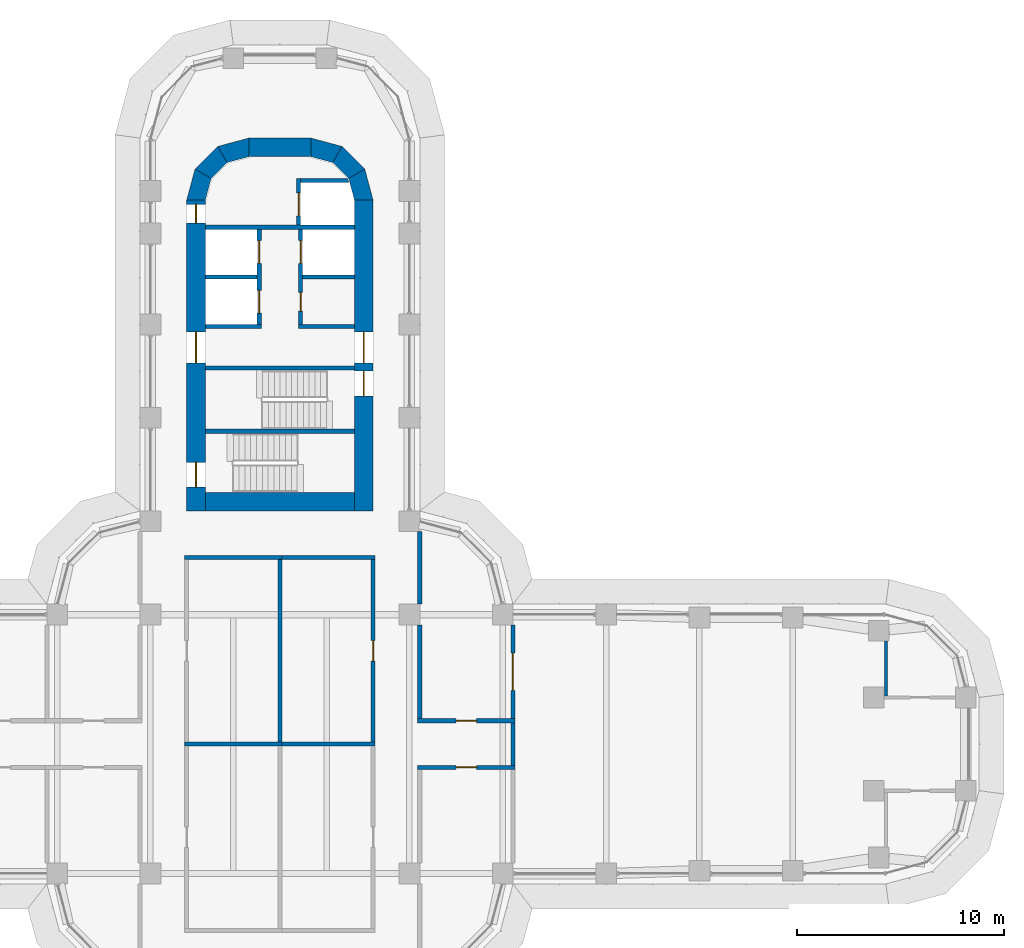
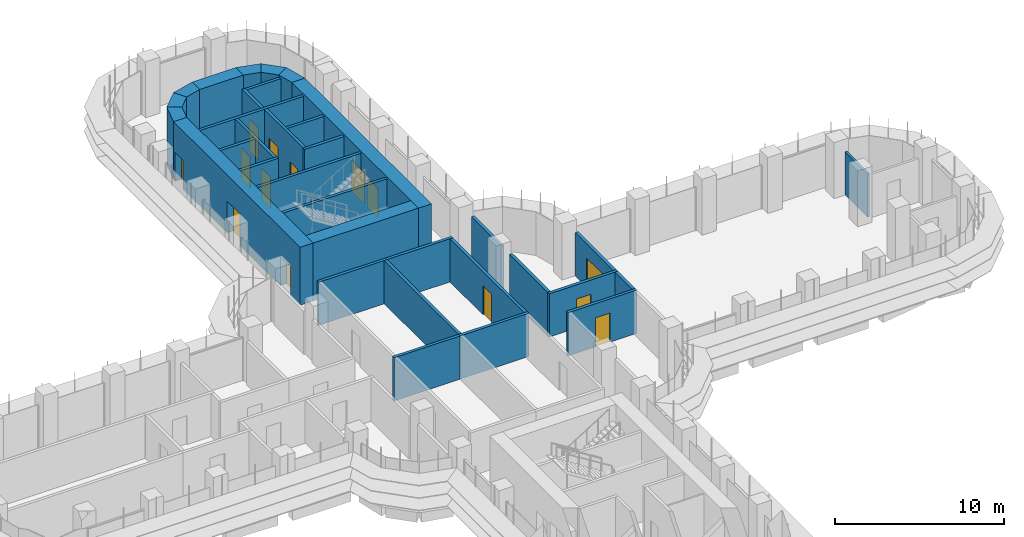
# One storey, part 18 of 23: 34 walls, 14 doors, 14 openings.
"""IFC4 building model written with IfcOpenShell, lengths in metres."""

from ifc_helpers import new_model, si_unit, direction, frame, frame_2d, origin, place, context, subcontext, project, spatial, polyline, rectangle, outline, extrude, material, layer, layer_set, type_object, element, fill, save


model = new_model("IFC4")

# Units and contexts
model_context = context("Model", 3, precision=1e-05, world=origin(), true_north=direction((0.0, 1.0)))
body_context = subcontext(model_context, "Body", "Model", "MODEL_VIEW")
ifc_project = project(units=[si_unit("LENGTHUNIT", "METRE"), si_unit("AREAUNIT", "SQUARE_METRE"), si_unit("VOLUMEUNIT", "CUBIC_METRE"), si_unit("PLANEANGLEUNIT", "RADIAN"), si_unit("MASSUNIT", "GRAM", prefix="KILO")], contexts=[model_context])

# Site, building, storey
site_placement = place(None, origin())
site = spatial("IfcSite", under=ifc_project, at=site_placement, CompositionType="ELEMENT")
building_placement = place(site_placement, origin())
building = spatial("IfcBuilding", under=site, at=building_placement, Name="Zarbagh Exchange Tower", CompositionType="ELEMENT")
storey_placement = place(building_placement, frame((0.0, 0.0, 64.800048828125)))
storey = spatial("IfcBuildingStorey", under=building, at=storey_placement, Name="L14", CompositionType="ELEMENT", Elevation=64.800048828125)

# Wall
ifc_material_1 = material(Name="Plasterboard partition")
ifc_layer_1 = layer(ifc_material_1, 0.14990234375)
ifc_layer_set_1 = layer_set([ifc_layer_1], Name="PARTITION 150")
wall_type_1 = type_object("IfcWallType", Name="PARTITION 150", PredefinedType="PARTITIONING", material=ifc_layer_set_1)
wall_1_placement = place(storey_placement, frame((29.25, 2.324951171875, 0.0), z_axis=(0.0, 0.0, 1.0), x_axis=(0.0, 1.0, 0.0)))
element("IfcWall", 1, at=wall_1_placement, inside=storey, type_object=wall_type_1, Name="Partition W-426", PredefinedType="PARTITIONING", context=body_context, shape_type="SweptSolid", body=[
    extrude(rectangle(XDim=2.650146484375, YDim=0.14990234375, at=frame_2d((1.3251953125, 0.0))), origin(), (0.0, 0.0, 1.0), 3.13037109375),
])

# Wall, opening, door
ifc_material_2 = material(Name="Fire-rated plasterboard partition")
ifc_layer_2 = layer(ifc_material_2, 0.199951171875)
ifc_layer_set_2 = layer_set([ifc_layer_2], Name="RATED PARTITION 200")
wall_type_2 = type_object("IfcWallType", Name="RATED PARTITION 200", PredefinedType="PARTITIONING", material=ifc_layer_set_2)
wall_2_placement = place(storey_placement, frame((4.5, 0.10009765625, 0.0), z_axis=(0.0, 0.0, 1.0), x_axis=(0.0, 1.0, 0.0)))
wall_2 = element("IfcWall", 2, at=wall_2_placement, inside=storey, type_object=wall_type_2, Name="Partition W-407", PredefinedType="PARTITIONING", context=body_context, shape_type="SweptSolid", body=[
    extrude(rectangle(XDim=8.7998046875, YDim=0.199951171875, at=frame_2d((4.39990234375, 0.0))), origin(), (0.0, 0.0, 1.0), 3.13037109375),
])
opening_1_placement = place(wall_2_placement, frame((3.89990234375, 0.0, 0.0)))
opening_1 = element("IfcOpeningElement", 3, at=opening_1_placement, cuts=wall_2, Name="Opening D-401", PredefinedType="OPENING", context=body_context, shape_type="SweptSolid", body=[
    extrude(rectangle(XDim=1.0, YDim=2.10009765625, at=frame_2d((0.5, 1.050048828125))), frame((0.0, 0.10986328125, 0.0), z_axis=(0.0, -1.0, 0.0), x_axis=(1.0, 0.0, 0.0)), (0.0, 0.0, 1.0), 0.219970703125),
])
ifc_material_3 = material(Name="Steel door set", Category="steel")
door_type_1 = type_object("IfcDoorType", Name="FIRE DOOR 1000 X 2100 FD30S", OperationType="NOTDEFINED", PredefinedType="DOOR", material=ifc_material_3)
door_1_placement = place(opening_1_placement, origin())
door_1 = element("IfcDoor", 4, at=door_1_placement, inside=storey, type_object=door_type_1, Name="Door D-401", OperationType="SINGLE_SWING_RIGHT", OverallHeight=2.10009765625, OverallWidth=1.0, PredefinedType="DOOR", context=body_context, shape_type="SweptSolid", body=[
    extrude(rectangle(XDim=1.0, YDim=2.10009765625, at=frame_2d((0.5, 1.050048828125))), frame((0.0, 0.02490234375, 0.0), z_axis=(0.0, -1.0, 0.0), x_axis=(1.0, 0.0, 0.0)), (0.0, 0.0, 1.0), 0.050048828125),
])
fill(opening_1, door_1)

# Walls
wall_3_placement = place(storey_placement, frame((6.75, 1.22509765625, 0.0), z_axis=(0.0, 0.0, 1.0), x_axis=(0.0, 1.0, 0.0)))
element("IfcWall", 5, at=wall_3_placement, inside=storey, type_object=wall_type_2, Name="Partition W-409", PredefinedType="PARTITIONING", context=body_context, shape_type="SweptSolid", body=[
    extrude(rectangle(XDim=4.52490234375, YDim=0.199951171875, at=frame_2d((2.262451171875, 0.0))), origin(), (0.0, 0.0, 1.0), 3.13037109375),
])
wall_4_placement = place(storey_placement, frame((6.75, 6.75, 0.0), z_axis=(0.0, 0.0, 1.0), x_axis=(0.0, 1.0, 0.0)))
element("IfcWall", 6, at=wall_4_placement, inside=storey, type_object=wall_type_2, Name="Partition W-410", PredefinedType="PARTITIONING", context=body_context, shape_type="SweptSolid", body=[
    extrude(rectangle(XDim=3.5, YDim=0.199951171875, at=frame_2d((1.75, 0.0))), origin(), (0.0, 0.0, 1.0), 3.13037109375),
])
for number, where, z_axis, x_axis, name in (
    (7, (-4.60009765625, 9.0, 0.0), (0.0, 0.0, 1.0), (1.0, 0.0, 0.0), "Partition W-413"),
    (8, (-0.10009765625, 9.0, 0.0), (0.0, 0.0, 1.0), (1.0, 0.0, 0.0), "Partition W-414"),
):
    element("IfcWall", number, at=place(storey_placement, frame(where, z_axis=z_axis, x_axis=x_axis)), inside=storey, type_object=wall_type_2, Name=name, PredefinedType="PARTITIONING", context=body_context, shape_type="SweptSolid", body=[
        extrude(rectangle(XDim=4.7001953125, YDim=0.199951171875, at=frame_2d((2.35009765625, 0.0))), origin(), (0.0, 0.0, 1.0), 3.13037109375),
    ])
wall_5_placement = place(storey_placement, frame((0.0, 0.10009765625, 0.0), z_axis=(0.0, 0.0, 1.0), x_axis=(0.0, 1.0, 0.0)))
element("IfcWall", 9, at=wall_5_placement, inside=storey, type_object=wall_type_2, Name="Partition W-417", PredefinedType="PARTITIONING", context=body_context, shape_type="SweptSolid", body=[
    extrude(rectangle(XDim=8.7998046875, YDim=0.199951171875, at=frame_2d((4.39990234375, 0.0))), origin(), (0.0, 0.0, 1.0), 3.13037109375),
])
for number, where, z_axis, x_axis, name in (
    (10, (-4.60009765625, 0.0, 0.0), (0.0, 0.0, 1.0), (1.0, 0.0, 0.0), "Partition W-418"),
    (11, (-0.10009765625, 0.0, 0.0), (0.0, 0.0, 1.0), (1.0, 0.0, 0.0), "Partition W-419"),
):
    element("IfcWall", number, at=place(storey_placement, frame(where, z_axis=z_axis, x_axis=x_axis)), inside=storey, type_object=wall_type_2, Name=name, PredefinedType="PARTITIONING", context=body_context, shape_type="SweptSolid", body=[
        extrude(rectangle(XDim=4.7001953125, YDim=0.199951171875, at=frame_2d((2.35009765625, 0.0))), origin(), (0.0, 0.0, 1.0), 3.13037109375),
    ])

# Wall, opening, door
wall_6_placement = place(storey_placement, frame((6.64990234375, 1.125, 0.0), z_axis=(0.0, 0.0, 1.0), x_axis=(1.0, 0.0, 0.0)))
wall_6 = element("IfcWall", 12, at=wall_6_placement, inside=storey, type_object=wall_type_2, Name="Partition W-421", PredefinedType="PARTITIONING", context=body_context, shape_type="SweptSolid", body=[
    extrude(rectangle(XDim=4.7001953125, YDim=0.199951171875, at=frame_2d((2.35009765625, 0.0))), origin(), (0.0, 0.0, 1.0), 3.13037109375),
])
opening_2_placement = place(wall_6_placement, frame((1.85009765625, 0.0, 0.0)))
opening_2 = element("IfcOpeningElement", 13, at=opening_2_placement, cuts=wall_6, Name="Opening D-408", PredefinedType="OPENING", context=body_context, shape_type="SweptSolid", body=[
    extrude(rectangle(XDim=1.0, YDim=2.10009765625, at=frame_2d((0.5, 1.050048828125))), frame((0.0, 0.10986328125, 0.0), z_axis=(0.0, -1.0, 0.0), x_axis=(1.0, 0.0, 0.0)), (0.0, 0.0, 1.0), 0.219970703125),
])
door_2_placement = place(opening_2_placement, origin())
door_2 = element("IfcDoor", 14, at=door_2_placement, inside=storey, type_object=door_type_1, Name="Door D-408", OperationType="SINGLE_SWING_RIGHT", OverallHeight=2.10009765625, OverallWidth=1.0, PredefinedType="DOOR", context=body_context, shape_type="SweptSolid", body=[
    extrude(rectangle(XDim=1.0, YDim=2.10009765625, at=frame_2d((0.5, 1.050048828125))), frame((0.0, 0.02490234375, 0.0), z_axis=(0.0, -1.0, 0.0), x_axis=(1.0, 0.0, 0.0)), (0.0, 0.0, 1.0), 0.050048828125),
])
fill(opening_2, door_2)

wall_7_placement = place(storey_placement, frame((11.35009765625, -1.125, 0.0), z_axis=(0.0, 0.0, 1.0), x_axis=(-1.0, 0.0, 0.0)))
wall_7 = element("IfcWall", 15, at=wall_7_placement, inside=storey, type_object=wall_type_2, Name="Partition W-422", PredefinedType="PARTITIONING", context=body_context, shape_type="SweptSolid", body=[
    extrude(rectangle(XDim=4.7001953125, YDim=0.199951171875, at=frame_2d((2.35009765625, 0.0))), origin(), (0.0, 0.0, 1.0), 3.13037109375),
])
opening_3_placement = place(wall_7_placement, frame((1.85009765625, 0.0, 0.0)))
opening_3 = element("IfcOpeningElement", 16, at=opening_3_placement, cuts=wall_7, Name="Opening D-409", PredefinedType="OPENING", context=body_context, shape_type="SweptSolid", body=[
    extrude(rectangle(XDim=1.0, YDim=2.10009765625, at=frame_2d((0.5, 1.050048828125))), frame((0.0, 0.10986328125, 0.0), z_axis=(0.0, -1.0, 0.0), x_axis=(1.0, 0.0, 0.0)), (0.0, 0.0, 1.0), 0.219970703125),
])
door_3_placement = place(opening_3_placement, origin())
door_3 = element("IfcDoor", 17, at=door_3_placement, inside=storey, type_object=door_type_1, Name="Door D-409", OperationType="SINGLE_SWING_RIGHT", OverallHeight=2.10009765625, OverallWidth=1.0, PredefinedType="DOOR", context=body_context, shape_type="SweptSolid", body=[
    extrude(rectangle(XDim=1.0, YDim=2.10009765625, at=frame_2d((0.5, 1.050048828125))), frame((0.0, 0.02490234375, 0.0), z_axis=(0.0, -1.0, 0.0), x_axis=(1.0, 0.0, 0.0)), (0.0, 0.0, 1.0), 0.050048828125),
])
fill(opening_3, door_3)

# Wall
wall_8_placement = place(storey_placement, frame((11.25, -1.02490234375, 0.0), z_axis=(0.0, 0.0, 1.0), x_axis=(0.0, 1.0, 0.0)))
element("IfcWall", 18, at=wall_8_placement, inside=storey, type_object=wall_type_2, Name="Partition W-423", PredefinedType="PARTITIONING", context=body_context, shape_type="SweptSolid", body=[
    extrude(rectangle(XDim=2.0498046875, YDim=0.199951171875, at=frame_2d((1.02490234375, 0.0))), origin(), (0.0, 0.0, 1.0), 3.13037109375),
])

# Wall, opening, door
wall_9_placement = place(storey_placement, frame((11.25, 5.75, 0.0), z_axis=(0.0, 0.0, 1.0), x_axis=(0.0, -1.0, 0.0)))
wall_9 = element("IfcWall", 19, at=wall_9_placement, inside=storey, type_object=wall_type_2, Name="Partition W-424", PredefinedType="PARTITIONING", context=body_context, shape_type="SweptSolid", body=[
    extrude(rectangle(XDim=4.52490234375, YDim=0.199951171875, at=frame_2d((2.262451171875, 0.0))), origin(), (0.0, 0.0, 1.0), 3.13037109375),
])
opening_4_placement = place(wall_9_placement, frame((1.362548828125, 0.0, 0.0)))
opening_4 = element("IfcOpeningElement", 20, at=opening_4_placement, cuts=wall_9, Name="Opening D-407", PredefinedType="OPENING", context=body_context, shape_type="SweptSolid", body=[
    extrude(rectangle(XDim=1.800048828125, YDim=2.10009765625, at=frame_2d((0.89990234375, 1.050048828125))), frame((0.0, 0.10986328125, 0.0), z_axis=(0.0, -1.0, 0.0), x_axis=(1.0, 0.0, 0.0)), (0.0, 0.0, 1.0), 0.219970703125),
])
door_type_2 = type_object("IfcDoorType", Name="FIRE DOUBLE DOOR 1800 X 2100 FD30S", OperationType="DOUBLE_DOOR_SINGLE_SWING", PredefinedType="DOOR", material=ifc_material_3)
door_4_placement = place(opening_4_placement, origin())
door_4 = element("IfcDoor", 21, at=door_4_placement, inside=storey, type_object=door_type_2, Name="Door D-407", OperationType="DOUBLE_DOOR_SINGLE_SWING", OverallHeight=2.10009765625, OverallWidth=1.800048828125, PredefinedType="DOOR", context=body_context, shape_type="SweptSolid", body=[
    extrude(rectangle(XDim=1.800048828125, YDim=2.10009765625, at=frame_2d((0.89990234375, 1.050048828125))), frame((0.0, 0.02490234375, 0.0), z_axis=(0.0, -1.0, 0.0), x_axis=(1.0, 0.0, 0.0)), (0.0, 0.0, 1.0), 0.050048828125),
])
fill(opening_4, door_4)

# Walls
ifc_material_4 = material(Name="Concrete C60/75", Category="concrete")
ifc_layer_3 = layer(ifc_material_4, 0.89990234375)
ifc_layer_set_3 = layer_set([ifc_layer_3], Name="RC core corner wall 900 C60/75")
wall_type_3 = type_object("IfcWallType", Name="RC core corner wall 900 C60/75", PredefinedType="SHEAR", material=ifc_layer_set_3)
wall_10_placement = place(storey_placement, origin())
element("IfcWall", 22, at=wall_10_placement, inside=storey, type_object=wall_type_3, Name="CW2 core N corner W", PredefinedType="SHEAR", context=body_context, shape_type="SweptSolid", body=[
    extrude(outline(polyline([(-4.5, 26.25), (-4.09814453125, 27.75), (-3.318603515625, 27.300048828125), (-3.60009765625, 26.25), (-4.5, 26.25)])), origin(), (0.0, 0.0, 1.0), 4.199951171875),
])
wall_11_placement = place(storey_placement, origin())
element("IfcWall", 23, at=wall_11_placement, inside=storey, type_object=wall_type_3, Name="CW2 core N corner W", PredefinedType="SHEAR", context=body_context, shape_type="SweptSolid", body=[
    extrude(outline(polyline([(-4.09814453125, 27.75), (-3.0, 28.84814453125), (-2.550048828125, 28.068603515625), (-3.318603515625, 27.300048828125), (-4.09814453125, 27.75)])), origin(), (0.0, 0.0, 1.0), 4.199951171875),
])
wall_12_placement = place(storey_placement, origin())
element("IfcWall", 24, at=wall_12_placement, inside=storey, type_object=wall_type_3, Name="CW2 core N corner W", PredefinedType="SHEAR", context=body_context, shape_type="SweptSolid", body=[
    extrude(outline(polyline([(-3.0, 28.84814453125), (-1.5, 29.25), (-1.5, 28.35009765625), (-2.550048828125, 28.068603515625), (-3.0, 28.84814453125)])), origin(), (0.0, 0.0, 1.0), 4.199951171875),
])
wall_13_placement = place(storey_placement, origin())
element("IfcWall", 25, at=wall_13_placement, inside=storey, type_object=wall_type_3, Name="CW2 core N corner E", PredefinedType="SHEAR", context=body_context, shape_type="SweptSolid", body=[
    extrude(outline(polyline([(4.5, 26.25), (4.09814453125, 27.75), (3.318603515625, 27.300048828125), (3.60009765625, 26.25), (4.5, 26.25)])), origin(), (0.0, 0.0, 1.0), 4.199951171875),
])
wall_14_placement = place(storey_placement, origin())
element("IfcWall", 26, at=wall_14_placement, inside=storey, type_object=wall_type_3, Name="CW2 core N corner E", PredefinedType="SHEAR", context=body_context, shape_type="SweptSolid", body=[
    extrude(outline(polyline([(4.09814453125, 27.75), (3.0, 28.84814453125), (2.550048828125, 28.068603515625), (3.318603515625, 27.300048828125), (4.09814453125, 27.75)])), origin(), (0.0, 0.0, 1.0), 4.199951171875),
])
wall_15_placement = place(storey_placement, origin())
element("IfcWall", 27, at=wall_15_placement, inside=storey, type_object=wall_type_3, Name="CW2 core N corner E", PredefinedType="SHEAR", context=body_context, shape_type="SweptSolid", body=[
    extrude(outline(polyline([(3.0, 28.84814453125), (1.5, 29.25), (1.5, 28.35009765625), (2.550048828125, 28.068603515625), (3.0, 28.84814453125)])), origin(), (0.0, 0.0, 1.0), 4.199951171875),
])

# Wall, openings, doors
ifc_layer_4 = layer(ifc_material_4, 0.89990234375)
ifc_layer_set_4 = layer_set([ifc_layer_4], Name="RC core wall 900 C60/75")
wall_type_4 = type_object("IfcWallType", Name="RC core wall 900 C60/75", PredefinedType="SHEAR", material=ifc_layer_set_4)
wall_16_placement = place(storey_placement, frame((-4.050048828125, 11.25, 0.0), z_axis=(0.0, 0.0, 1.0), x_axis=(0.0, 1.0, 0.0)))
wall_16 = element("IfcWall", 28, at=wall_16_placement, inside=storey, type_object=wall_type_4, Name="CW1 core N W", PredefinedType="SHEAR", context=body_context, shape_type="SweptSolid", body=[
    extrude(rectangle(XDim=15.0, YDim=0.89990234375, at=frame_2d((7.5, 0.0))), origin(), (0.0, 0.0, 1.0), 4.199951171875),
])
opening_5_placement = place(wall_16_placement, frame((7.14990234375, 0.0, 0.0)))
opening_5 = element("IfcOpeningElement", 29, at=opening_5_placement, cuts=wall_16, Name="Opening CD1-1500", PredefinedType="OPENING", context=body_context, shape_type="SweptSolid", body=[
    extrude(rectangle(XDim=1.5, YDim=2.300048828125, at=frame_2d((0.75, 1.14990234375))), frame((0.0, 0.4599609375, 0.0), z_axis=(0.0, -1.0, 0.0), x_axis=(1.0, 0.0, 0.0)), (0.0, 0.0, 1.0), 0.919921875),
])
opening_6_placement = place(wall_16_placement, frame((13.89990234375, 0.0, 0.0)))
opening_6 = element("IfcOpeningElement", 30, at=opening_6_placement, cuts=wall_16, Name="Opening CD2-900", PredefinedType="OPENING", context=body_context, shape_type="SweptSolid", body=[
    extrude(rectangle(XDim=0.89990234375, YDim=2.10009765625, at=frame_2d((0.449951171875, 1.050048828125))), frame((0.0, 0.4599609375, 0.0), z_axis=(0.0, -1.0, 0.0), x_axis=(1.0, 0.0, 0.0)), (0.0, 0.0, 1.0), 0.919921875),
])
opening_7_placement = place(wall_16_placement, frame((1.14990234375, 0.0, 0.0)))
opening_7 = element("IfcOpeningElement", 31, at=opening_7_placement, cuts=wall_16, Name="Opening SD1-1200", PredefinedType="OPENING", context=body_context, shape_type="SweptSolid", body=[
    extrude(rectangle(XDim=1.199951171875, YDim=2.10009765625, at=frame_2d((0.60009765625, 1.050048828125))), frame((0.0, 0.4599609375, 0.0), z_axis=(0.0, -1.0, 0.0), x_axis=(1.0, 0.0, 0.0)), (0.0, 0.0, 1.0), 0.919921875),
])
ifc_material_5 = material(Name="Steel", Category="steel")
door_type_3 = type_object("IfcDoorType", Name="Exit stair door 1200 x 2100", OperationType="NOTDEFINED", PredefinedType="DOOR", material=ifc_material_5)
door_5_placement = place(opening_7_placement, origin())
door_5 = element("IfcDoor", 32, at=door_5_placement, inside=storey, type_object=door_type_3, Name="North core stair door ST2", OperationType="SINGLE_SWING_RIGHT", OverallHeight=2.10009765625, OverallWidth=1.199951171875, PredefinedType="DOOR", context=body_context, shape_type="SweptSolid", body=[
    extrude(rectangle(XDim=1.199951171875, YDim=2.10009765625, at=frame_2d((0.60009765625, 1.050048828125))), frame((0.0, 0.02490234375, 0.0), z_axis=(0.0, -1.0, 0.0), x_axis=(1.0, 0.0, 0.0)), (0.0, 0.0, 1.0), 0.050048828125),
])
fill(opening_7, door_5)
door_type_4 = type_object("IfcDoorType", Name="Firefighting lobby door 900 x 2100", OperationType="NOTDEFINED", PredefinedType="DOOR", material=ifc_material_5)
door_6_placement = place(opening_6_placement, origin())
door_6 = element("IfcDoor", 33, at=door_6_placement, inside=storey, type_object=door_type_4, Name="North core firefighting lobby door FF-W", OperationType="SINGLE_SWING_RIGHT", OverallHeight=2.10009765625, OverallWidth=0.89990234375, PredefinedType="DOOR", context=body_context, shape_type="SweptSolid", body=[
    extrude(rectangle(XDim=0.89990234375, YDim=2.10009765625, at=frame_2d((0.449951171875, 1.050048828125))), frame((0.0, 0.02490234375, 0.0), z_axis=(0.0, -1.0, 0.0), x_axis=(1.0, 0.0, 0.0)), (0.0, 0.0, 1.0), 0.050048828125),
])
fill(opening_6, door_6)
door_type_5 = type_object("IfcDoorType", Name="Lift lobby double door 1500 x 2300", OperationType="NOTDEFINED", PredefinedType="DOOR", material=ifc_material_5)
door_7_placement = place(opening_5_placement, origin())
door_7 = element("IfcDoor", 34, at=door_7_placement, inside=storey, type_object=door_type_5, Name="North core lift lobby door LOBBY-W", OperationType="DOUBLE_DOOR_SINGLE_SWING", OverallHeight=2.300048828125, OverallWidth=1.5, PredefinedType="DOOR", context=body_context, shape_type="SweptSolid", body=[
    extrude(rectangle(XDim=1.5, YDim=2.300048828125, at=frame_2d((0.75, 1.14990234375))), frame((0.0, 0.02490234375, 0.0), z_axis=(0.0, -1.0, 0.0), x_axis=(1.0, 0.0, 0.0)), (0.0, 0.0, 1.0), 0.050048828125),
])
fill(opening_5, door_7)

wall_17_placement = place(storey_placement, frame((4.050048828125, 11.25, 0.0), z_axis=(0.0, 0.0, 1.0), x_axis=(0.0, 1.0, 0.0)))
wall_17 = element("IfcWall", 35, at=wall_17_placement, inside=storey, type_object=wall_type_4, Name="CW1 core N E", PredefinedType="SHEAR", context=body_context, shape_type="SweptSolid", body=[
    extrude(rectangle(XDim=15.0, YDim=0.89990234375, at=frame_2d((7.5, 0.0))), origin(), (0.0, 0.0, 1.0), 4.199951171875),
])
opening_8_placement = place(wall_17_placement, frame((7.14990234375, 0.0, 0.0)))
opening_8 = element("IfcOpeningElement", 36, at=opening_8_placement, cuts=wall_17, Name="Opening CD1-1500", PredefinedType="OPENING", context=body_context, shape_type="SweptSolid", body=[
    extrude(rectangle(XDim=1.5, YDim=2.300048828125, at=frame_2d((0.75, 1.14990234375))), frame((0.0, 0.4599609375, 0.0), z_axis=(0.0, -1.0, 0.0), x_axis=(1.0, 0.0, 0.0)), (0.0, 0.0, 1.0), 0.919921875),
])
opening_9_placement = place(wall_17_placement, frame((5.550048828125, 0.0, 0.0)))
opening_9 = element("IfcOpeningElement", 37, at=opening_9_placement, cuts=wall_17, Name="Opening SD1-1200", PredefinedType="OPENING", context=body_context, shape_type="SweptSolid", body=[
    extrude(rectangle(XDim=1.199951171875, YDim=2.10009765625, at=frame_2d((0.60009765625, 1.050048828125))), frame((0.0, 0.4599609375, 0.0), z_axis=(0.0, -1.0, 0.0), x_axis=(1.0, 0.0, 0.0)), (0.0, 0.0, 1.0), 0.919921875),
])
door_8_placement = place(opening_9_placement, origin())
door_8 = element("IfcDoor", 38, at=door_8_placement, inside=storey, type_object=door_type_3, Name="North core stair door ST1", OperationType="SINGLE_SWING_LEFT", OverallHeight=2.10009765625, OverallWidth=1.199951171875, PredefinedType="DOOR", context=body_context, shape_type="SweptSolid", body=[
    extrude(rectangle(XDim=1.199951171875, YDim=2.10009765625, at=frame_2d((0.60009765625, 1.050048828125))), frame((0.0, 0.02490234375, 0.0), z_axis=(0.0, -1.0, 0.0), x_axis=(1.0, 0.0, 0.0)), (0.0, 0.0, 1.0), 0.050048828125),
])
fill(opening_9, door_8)
door_9_placement = place(opening_8_placement, origin())
door_9 = element("IfcDoor", 39, at=door_9_placement, inside=storey, type_object=door_type_5, Name="North core lift lobby door LOBBY-E", OperationType="DOUBLE_DOOR_SINGLE_SWING", OverallHeight=2.300048828125, OverallWidth=1.5, PredefinedType="DOOR", context=body_context, shape_type="SweptSolid", body=[
    extrude(rectangle(XDim=1.5, YDim=2.300048828125, at=frame_2d((0.75, 1.14990234375))), frame((0.0, 0.02490234375, 0.0), z_axis=(0.0, -1.0, 0.0), x_axis=(1.0, 0.0, 0.0)), (0.0, 0.0, 1.0), 0.050048828125),
])
fill(opening_8, door_9)

# Walls
wall_18_placement = place(storey_placement, frame((-3.60009765625, 11.699951171875, 0.0), z_axis=(0.0, 0.0, 1.0), x_axis=(1.0, 0.0, 0.0)))
element("IfcWall", 40, at=wall_18_placement, inside=storey, type_object=wall_type_4, Name="CW1 core N inner end", PredefinedType="SHEAR", context=body_context, shape_type="SweptSolid", body=[
    extrude(rectangle(XDim=7.2001953125, YDim=0.89990234375, at=frame_2d((3.60009765625, 0.0))), origin(), (0.0, 0.0, 1.0), 4.199951171875),
])
wall_19_placement = place(storey_placement, frame((-1.5, 28.800048828125, 0.0), z_axis=(0.0, 0.0, 1.0), x_axis=(1.0, 0.0, 0.0)))
element("IfcWall", 41, at=wall_19_placement, inside=storey, type_object=wall_type_4, Name="CW1 core N outer end", PredefinedType="SHEAR", context=body_context, shape_type="SweptSolid", body=[
    extrude(rectangle(XDim=3.0, YDim=0.89990234375, at=frame_2d((1.5, 0.0))), origin(), (0.0, 0.0, 1.0), 4.199951171875),
])
ifc_material_6 = material(Name="Dense blockwork", Category="masonry")
ifc_layer_5 = layer(ifc_material_6, 0.199951171875)
ifc_layer_set_5 = layer_set([ifc_layer_5], Name="Shaft wall 200 mm blockwork")
wall_type_5 = type_object("IfcWallType", Name="Shaft wall 200 mm blockwork", PredefinedType="PARTITIONING", material=ifc_layer_set_5)
wall_20_placement = place(storey_placement, frame((-3.60009765625, 20.14990234375, 0.0), z_axis=(0.0, 0.0, 1.0), x_axis=(1.0, 0.0, 0.0)))
element("IfcWall", 42, at=wall_20_placement, inside=storey, type_object=wall_type_5, Name="North core shaft wall AB-W", PredefinedType="PARTITIONING", context=body_context, shape_type="SweptSolid", body=[
    extrude(rectangle(XDim=2.7001953125, YDim=0.199951171875, at=frame_2d((1.35009765625, 0.0))), origin(), (0.0, 0.0, 1.0), 4.050048828125),
])

# Wall, openings, doors
wall_21_placement = place(storey_placement, frame((-1.0, 24.85009765625, 0.0), z_axis=(0.0, 0.0, 1.0), x_axis=(0.0, -1.0, 0.0)))
wall_21 = element("IfcWall", 43, at=wall_21_placement, inside=storey, type_object=wall_type_5, Name="North core shaft wall LW-W", PredefinedType="PARTITIONING", context=body_context, shape_type="SweptSolid", body=[
    extrude(rectangle(XDim=4.60009765625, YDim=0.199951171875, at=frame_2d((2.300048828125, 0.0))), origin(), (0.0, 0.0, 1.0), 4.050048828125),
])
opening_10_placement = place(wall_21_placement, frame((0.550048828125, 0.0, 0.0)))
opening_10 = element("IfcOpeningElement", 44, at=opening_10_placement, cuts=wall_21, Name="Opening LD-1100", PredefinedType="OPENING", context=body_context, shape_type="SweptSolid", body=[
    extrude(rectangle(XDim=1.10009765625, YDim=2.300048828125, at=frame_2d((0.550048828125, 1.14990234375))), frame((0.0, 0.10986328125, 0.0), z_axis=(0.0, -1.0, 0.0), x_axis=(1.0, 0.0, 0.0)), (0.0, 0.0, 1.0), 0.219970703125),
])
opening_11_placement = place(wall_21_placement, frame((2.949951171875, 0.0, 0.0)))
opening_11 = element("IfcOpeningElement", 45, at=opening_11_placement, cuts=wall_21, Name="Opening LD-1100", PredefinedType="OPENING", context=body_context, shape_type="SweptSolid", body=[
    extrude(rectangle(XDim=1.10009765625, YDim=2.300048828125, at=frame_2d((0.550048828125, 1.14990234375))), frame((0.0, 0.10986328125, 0.0), z_axis=(0.0, -1.0, 0.0), x_axis=(1.0, 0.0, 0.0)), (0.0, 0.0, 1.0), 0.219970703125),
])
ifc_material_7 = material(Name="Stainless steel", Category="steel")
door_type_6 = type_object("IfcDoorType", Name="Lift landing door 1100 x 2300", OperationType="NOTDEFINED", PredefinedType="DOOR", material=ifc_material_7)
door_10_placement = place(opening_10_placement, origin())
door_10 = element("IfcDoor", 46, at=door_10_placement, inside=storey, type_object=door_type_6, Name="North core lift landing door LD-P-N1", OperationType="DOUBLE_DOOR_SLIDING", OverallHeight=2.300048828125, OverallWidth=1.10009765625, PredefinedType="DOOR", context=body_context, shape_type="SweptSolid", body=[
    extrude(rectangle(XDim=1.10009765625, YDim=2.300048828125, at=frame_2d((0.550048828125, 1.14990234375))), frame((0.0, 0.02490234375, 0.0), z_axis=(0.0, -1.0, 0.0), x_axis=(1.0, 0.0, 0.0)), (0.0, 0.0, 1.0), 0.050048828125),
])
fill(opening_10, door_10)
door_11_placement = place(opening_11_placement, origin())
door_11 = element("IfcDoor", 47, at=door_11_placement, inside=storey, type_object=door_type_6, Name="North core lift landing door LD-P-N2", OperationType="DOUBLE_DOOR_SLIDING", OverallHeight=2.300048828125, OverallWidth=1.10009765625, PredefinedType="DOOR", context=body_context, shape_type="SweptSolid", body=[
    extrude(rectangle(XDim=1.10009765625, YDim=2.300048828125, at=frame_2d((0.550048828125, 1.14990234375))), frame((0.0, 0.02490234375, 0.0), z_axis=(0.0, -1.0, 0.0), x_axis=(1.0, 0.0, 0.0)), (0.0, 0.0, 1.0), 0.050048828125),
])
fill(opening_11, door_11)

# Wall
wall_22_placement = place(storey_placement, frame((0.89990234375, 20.14990234375, 0.0), z_axis=(0.0, 0.0, 1.0), x_axis=(1.0, 0.0, 0.0)))
element("IfcWall", 48, at=wall_22_placement, inside=storey, type_object=wall_type_5, Name="North core shaft wall AB-E", PredefinedType="PARTITIONING", context=body_context, shape_type="SweptSolid", body=[
    extrude(rectangle(XDim=2.7001953125, YDim=0.199951171875, at=frame_2d((1.35009765625, 0.0))), origin(), (0.0, 0.0, 1.0), 4.050048828125),
])

# Wall, openings, doors
wall_23_placement = place(storey_placement, frame((1.0, 24.85009765625, 0.0), z_axis=(0.0, 0.0, 1.0), x_axis=(0.0, -1.0, 0.0)))
wall_23 = element("IfcWall", 49, at=wall_23_placement, inside=storey, type_object=wall_type_5, Name="North core shaft wall LW-E", PredefinedType="PARTITIONING", context=body_context, shape_type="SweptSolid", body=[
    extrude(rectangle(XDim=4.60009765625, YDim=0.199951171875, at=frame_2d((2.300048828125, 0.0))), origin(), (0.0, 0.0, 1.0), 4.050048828125),
])
opening_12_placement = place(wall_23_placement, frame((0.550048828125, 0.0, 0.0)))
opening_12 = element("IfcOpeningElement", 50, at=opening_12_placement, cuts=wall_23, Name="Opening LD-1100", PredefinedType="OPENING", context=body_context, shape_type="SweptSolid", body=[
    extrude(rectangle(XDim=1.10009765625, YDim=2.300048828125, at=frame_2d((0.550048828125, 1.14990234375))), frame((0.0, 0.10986328125, 0.0), z_axis=(0.0, -1.0, 0.0), x_axis=(1.0, 0.0, 0.0)), (0.0, 0.0, 1.0), 0.219970703125),
])
opening_13_placement = place(wall_23_placement, frame((3.050048828125, 0.0, 0.0)))
opening_13 = element("IfcOpeningElement", 51, at=opening_13_placement, cuts=wall_23, Name="Opening CD3-900", PredefinedType="OPENING", context=body_context, shape_type="SweptSolid", body=[
    extrude(rectangle(XDim=0.89990234375, YDim=2.10009765625, at=frame_2d((0.449951171875, 1.050048828125))), frame((0.0, 0.10986328125, 0.0), z_axis=(0.0, -1.0, 0.0), x_axis=(1.0, 0.0, 0.0)), (0.0, 0.0, 1.0), 0.219970703125),
])
door_type_7 = type_object("IfcDoorType", Name="Core room door 900 x 2100", OperationType="NOTDEFINED", PredefinedType="DOOR", material=ifc_material_5)
door_12_placement = place(opening_13_placement, origin())
door_12 = element("IfcDoor", 52, at=door_12_placement, inside=storey, type_object=door_type_7, Name="North core Accessible WC door RD-E-0", OperationType="SINGLE_SWING_RIGHT", OverallHeight=2.10009765625, OverallWidth=0.89990234375, PredefinedType="DOOR", context=body_context, shape_type="SweptSolid", body=[
    extrude(rectangle(XDim=0.89990234375, YDim=2.10009765625, at=frame_2d((0.449951171875, 1.050048828125))), frame((0.0, 0.02490234375, 0.0), z_axis=(0.0, -1.0, 0.0), x_axis=(1.0, 0.0, 0.0)), (0.0, 0.0, 1.0), 0.050048828125),
])
fill(opening_13, door_12)
door_13_placement = place(opening_12_placement, origin())
door_13 = element("IfcDoor", 53, at=door_13_placement, inside=storey, type_object=door_type_6, Name="North core lift landing door LD-P-N3", OperationType="DOUBLE_DOOR_SLIDING", OverallHeight=2.300048828125, OverallWidth=1.10009765625, PredefinedType="DOOR", context=body_context, shape_type="SweptSolid", body=[
    extrude(rectangle(XDim=1.10009765625, YDim=2.300048828125, at=frame_2d((0.550048828125, 1.14990234375))), frame((0.0, 0.02490234375, 0.0), z_axis=(0.0, -1.0, 0.0), x_axis=(1.0, 0.0, 0.0)), (0.0, 0.0, 1.0), 0.050048828125),
])
fill(opening_12, door_13)

# Walls
for number, where, z_axis, x_axis, name in (
    (54, (-3.60009765625, 22.550048828125, 0.0), (0.0, 0.0, 1.0), (1.0, 0.0, 0.0), "North core shaft wall TR-W"),
    (55, (1.10009765625, 22.550048828125, 0.0), (0.0, 0.0, 1.0), (1.0, 0.0, 0.0), "North core shaft wall TR-E"),
):
    element("IfcWall", number, at=place(storey_placement, frame(where, z_axis=z_axis, x_axis=x_axis)), inside=storey, type_object=wall_type_5, Name=name, PredefinedType="PARTITIONING", context=body_context, shape_type="SweptSolid", body=[
        extrude(rectangle(XDim=2.5, YDim=0.199951171875, at=frame_2d((1.25, 0.0))), origin(), (0.0, 0.0, 1.0), 4.050048828125),
    ])
ifc_material_8 = material(Name="Concrete C40/50", Category="concrete")
ifc_layer_6 = layer(ifc_material_8, 0.199951171875)
ifc_layer_set_6 = layer_set([ifc_layer_6], Name="Stair enclosure wall 200 mm RC C40/50")
wall_type_6 = type_object("IfcWallType", Name="Stair enclosure wall 200 mm RC C40/50", PredefinedType="SHEAR", material=ifc_layer_set_6)
wall_24_placement = place(storey_placement, frame((-3.60009765625, 24.949951171875, 0.0), z_axis=(0.0, 0.0, 1.0), x_axis=(1.0, 0.0, 0.0)))
element("IfcWall", 56, at=wall_24_placement, inside=storey, type_object=wall_type_6, Name="North core lift shaft wall FFA", PredefinedType="SHEAR", context=body_context, shape_type="SweptSolid", body=[
    extrude(rectangle(XDim=7.2001953125, YDim=0.199951171875, at=frame_2d((3.60009765625, 0.0))), origin(), (0.0, 0.0, 1.0), 4.050048828125),
])

# Wall, opening, door
wall_25_placement = place(storey_placement, frame((0.89990234375, 27.300048828125, 0.0), z_axis=(0.0, 0.0, 1.0), x_axis=(0.0, -1.0, 0.0)))
wall_25 = element("IfcWall", 57, at=wall_25_placement, inside=storey, type_object=wall_type_6, Name="North core lift shaft wall FFL", PredefinedType="SHEAR", context=body_context, shape_type="SweptSolid", body=[
    extrude(rectangle(XDim=2.25, YDim=0.199951171875, at=frame_2d((1.125, 0.0))), origin(), (0.0, 0.0, 1.0), 4.050048828125),
])
opening_14_placement = place(wall_25_placement, frame((0.699951171875, 0.0, 0.0)))
opening_14 = element("IfcOpeningElement", 58, at=opening_14_placement, cuts=wall_25, Name="Opening LD-1100", PredefinedType="OPENING", context=body_context, shape_type="SweptSolid", body=[
    extrude(rectangle(XDim=1.10009765625, YDim=2.300048828125, at=frame_2d((0.550048828125, 1.14990234375))), frame((0.0, 0.10986328125, 0.0), z_axis=(0.0, -1.0, 0.0), x_axis=(1.0, 0.0, 0.0)), (0.0, 0.0, 1.0), 0.219970703125),
])
door_14_placement = place(opening_14_placement, origin())
door_14 = element("IfcDoor", 59, at=door_14_placement, inside=storey, type_object=door_type_6, Name="North core lift landing door LD-F", OperationType="DOUBLE_DOOR_SLIDING", OverallHeight=2.300048828125, OverallWidth=1.10009765625, PredefinedType="DOOR", context=body_context, shape_type="SweptSolid", body=[
    extrude(rectangle(XDim=1.10009765625, YDim=2.300048828125, at=frame_2d((0.550048828125, 1.14990234375))), frame((0.0, 0.02490234375, 0.0), z_axis=(0.0, -1.0, 0.0), x_axis=(1.0, 0.0, 0.0)), (0.0, 0.0, 1.0), 0.050048828125),
])
fill(opening_14, door_14)

# Walls
wall_26_placement = place(storey_placement, origin())
element("IfcWall", 60, at=wall_26_placement, inside=storey, type_object=wall_type_6, Name="North core lift shaft wall FFX", PredefinedType="SHEAR", context=body_context, shape_type="SweptSolid", body=[
    extrude(outline(polyline([(1.0, 27.10009765625), (3.340576171875, 27.10009765625), (3.291259765625, 27.2841796875), (3.275390625, 27.300048828125), (1.0, 27.300048828125), (1.0, 27.10009765625)])), origin(), (0.0, 0.0, 1.0), 4.050048828125),
])
for number, where, z_axis, x_axis, name in (
    (61, (-3.60009765625, 18.14990234375, 0.0), (0.0, 0.0, 1.0), (1.0, 0.0, 0.0), "North core stair wall BS"),
    (62, (-3.60009765625, 15.10009765625, 0.0), (0.0, 0.0, 1.0), (1.0, 0.0, 0.0), "North core stair wall ST12"),
):
    element("IfcWall", number, at=place(storey_placement, frame(where, z_axis=z_axis, x_axis=x_axis)), inside=storey, type_object=wall_type_6, Name=name, PredefinedType="SHEAR", context=body_context, shape_type="SweptSolid", body=[
        extrude(rectangle(XDim=7.2001953125, YDim=0.199951171875, at=frame_2d((3.60009765625, 0.0))), origin(), (0.0, 0.0, 1.0), 4.050048828125),
    ])

save(model, "model.ifc")
